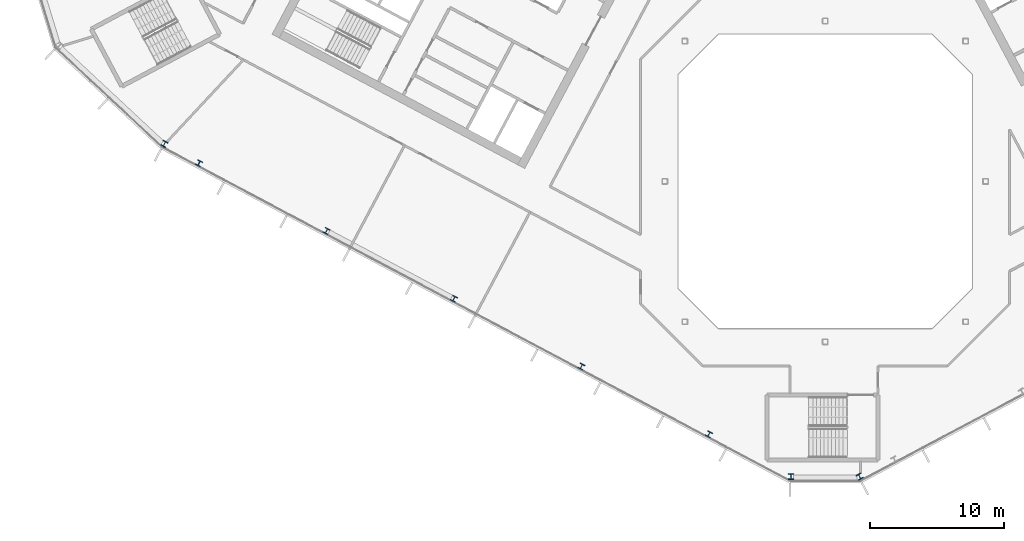
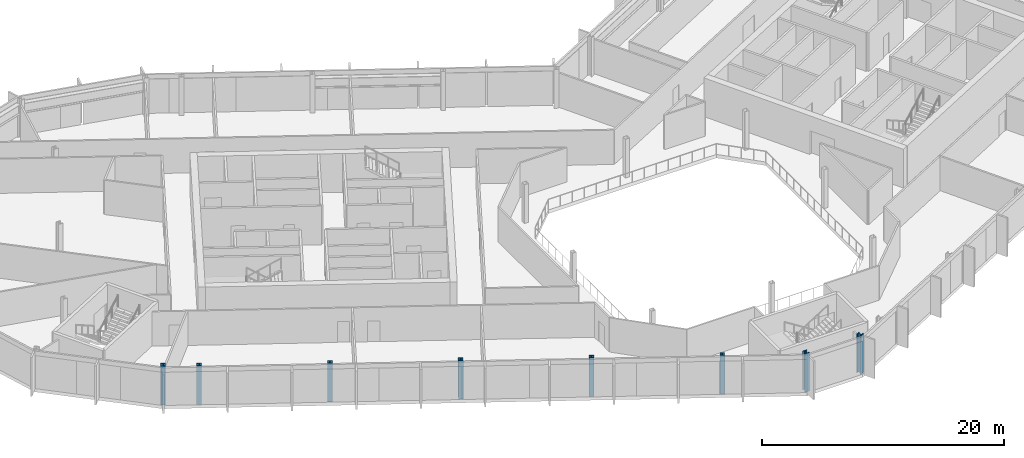
# One storey, part 1 of 26: 8 columns.
"""IFC4 building model written with IfcOpenShell, lengths in metres."""

from ifc_helpers import new_model, si_unit, direction, frame, origin, origin_2d, place, context, subcontext, project, spatial, i_section, extrude, material, material_profile, profile_set, type_object, element, save


model = new_model("IFC4")

# Units and contexts
model_context = context("Model", 3, precision=1e-05, world=origin(), true_north=direction((0.0, 1.0)))
body_context = subcontext(model_context, "Body", "Model", "MODEL_VIEW")
ifc_project = project(units=[si_unit("LENGTHUNIT", "METRE"), si_unit("AREAUNIT", "SQUARE_METRE"), si_unit("VOLUMEUNIT", "CUBIC_METRE"), si_unit("PLANEANGLEUNIT", "RADIAN"), si_unit("MASSUNIT", "GRAM", prefix="KILO")], contexts=[model_context])

# Site, building, storey
site_placement = place(None, origin())
site = spatial("IfcSite", under=ifc_project, at=site_placement, CompositionType="ELEMENT")
building_placement = place(site_placement, origin())
building = spatial("IfcBuilding", under=site, at=building_placement, Name="Cormorant Relay Tower", CompositionType="ELEMENT")
storey_placement = place(building_placement, frame((0.0, 0.0, 248.10009765625)))
storey = spatial("IfcBuildingStorey", under=building, at=storey_placement, Name="L55", CompositionType="ELEMENT", Elevation=248.10009765625)

# Columns
ifc_material_1 = material(Name="Steel ASTM A992 (Fy 345 MPa)", Category="steel")
ifc_material_profile_1 = material_profile(ifc_material_1, i_section(OverallWidth=0.40380859375, OverallDepth=0.406494140625, WebThickness=0.027099609375, FlangeThickness=0.043701171875, FilletRadius=0.01513671875, at=origin_2d()), Name="W360x347")
ifc_profile_set_1 = profile_set([ifc_material_profile_1], Name="Steel ASTM A992 (Fy 345 MPa)")
column_type_1 = type_object("IfcColumnType", Name="Column W360x347", PredefinedType="COLUMN", material=ifc_profile_set_1)
for number, where, z_axis, x_axis, name in (
    (1, (-8.700927734375, -18.919921875, 0.0), (0.0, 0.0, 1.0), (0.882947592859, -0.469471562786, 0.0), "Column L55-004"),
    (2, (-18.237060546875, -13.85009765625, 0.0), (0.0, 0.0, 1.0), (0.882947592859, -0.469471562786, 0.0), "Column L55-006"),
    (3, (-27.77197265625, -8.779052734375, 0.0), (0.0, 0.0, 1.0), (0.882947592859, -0.469471562786, 0.0), "Column L55-011"),
    (4, (-37.30810546875, -3.708984375, 0.0), (0.0, 0.0, 1.0), (0.882947592859, -0.469471562786, 0.0), "Column L55-013"),
    (5, (-46.843994140625, 1.361083984375, 0.0), (0.0, 0.0, 1.0), (0.882947592859, -0.469471562786, 0.0), "Column L55-017"),
):
    element("IfcColumn", number, at=place(storey_placement, frame(where, z_axis=z_axis, x_axis=x_axis)), inside=storey, type_object=column_type_1, Name=name, PredefinedType="COLUMN", context=body_context, shape_type="SweptSolid", body=[
        extrude(i_section(OverallWidth=0.40380859375, OverallDepth=0.406494140625, WebThickness=0.027099609375, FlangeThickness=0.043701171875, FilletRadius=0.01513671875, at=origin_2d()), origin(), (0.0, 0.0, 1.0), 3.89990234375),
    ])
ifc_material_2 = material(Name="Steel ASTM A992 (Fy 345 MPa)", Category="steel")
ifc_material_profile_2 = material_profile(ifc_material_2, i_section(OverallWidth=0.41162109375, OverallDepth=0.434326171875, WebThickness=0.035888671875, FlangeThickness=0.057373046875, FilletRadius=0.01513671875, at=origin_2d()), Name="W360x463")
ifc_profile_set_2 = profile_set([ifc_material_profile_2], Name="Steel ASTM A992 (Fy 345 MPa)")
column_type_2 = type_object("IfcColumnType", Name="Column W360x463", PredefinedType="COLUMN", material=ifc_profile_set_2)
for number, where, z_axis, x_axis, name in (
    (6, (-2.575927734375, -22.083984375, 0.0), (0.0, 0.0, 1.0), (1.0, 0.0, 0.0), "Column L55-001"),
    (7, (2.575927734375, -22.083984375, 0.0), (0.0, 0.0, 1.0), (0.882947592859, 0.469471562786, 0.0), "Column L55-002"),
    (8, (-49.43505859375, 2.803955078125, 0.0), (0.0, 0.0, 1.0), (0.882947592859, -0.469471562786, 0.0), "Column L55-018"),
):
    element("IfcColumn", number, at=place(storey_placement, frame(where, z_axis=z_axis, x_axis=x_axis)), inside=storey, type_object=column_type_2, Name=name, PredefinedType="COLUMN", context=body_context, shape_type="SweptSolid", body=[
        extrude(i_section(OverallWidth=0.41162109375, OverallDepth=0.434326171875, WebThickness=0.035888671875, FlangeThickness=0.057373046875, FilletRadius=0.01513671875, at=origin_2d()), origin(), (0.0, 0.0, 1.0), 3.89990234375),
    ])

save(model, "model.ifc")
